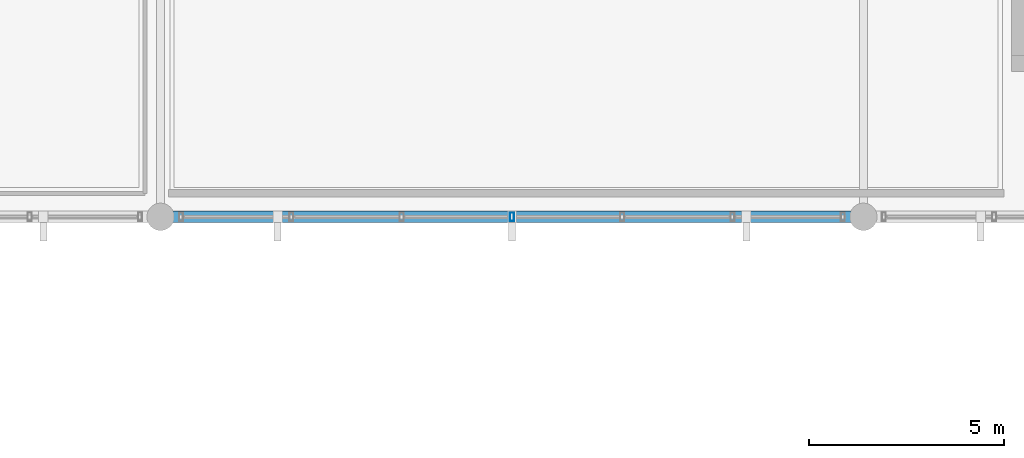
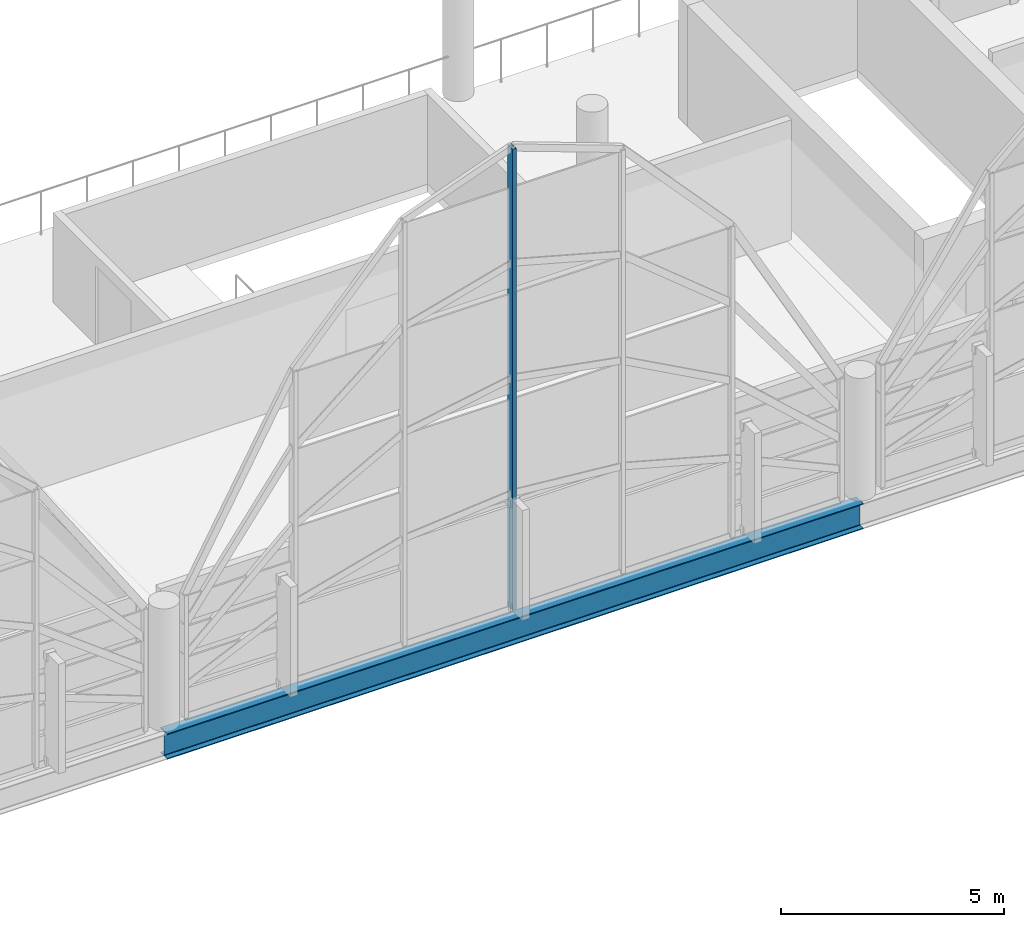
# One storey, part 25 of 116: 1 beam, 1 member, 1 element without a shape of its own.
"""IFC4 building model written with IfcOpenShell, lengths in metres."""

from ifc_helpers import new_model, si_unit, direction, frame, origin, origin_2d, place, context, subcontext, project, spatial, hollow_rectangle, i_section, extrude, material, material_profile, profile_set, type_object, element, aggregate, save


model = new_model("IFC4")

# Units and contexts
model_context = context("Model", 3, precision=1e-05, world=origin(), true_north=direction((0.0, 1.0)))
body_context = subcontext(model_context, "Body", "Model", "MODEL_VIEW")
ifc_project = project(units=[si_unit("LENGTHUNIT", "METRE"), si_unit("AREAUNIT", "SQUARE_METRE"), si_unit("VOLUMEUNIT", "CUBIC_METRE"), si_unit("PLANEANGLEUNIT", "RADIAN"), si_unit("MASSUNIT", "GRAM", prefix="KILO")], contexts=[model_context])

# Site, building, storey
site_placement = place(None, origin())
site = spatial("IfcSite", under=ifc_project, at=site_placement, CompositionType="ELEMENT")
building_placement = place(site_placement, origin())
building = spatial("IfcBuilding", under=site, at=building_placement, Name="Chuanluo Vaults Station", CompositionType="ELEMENT")
storey_placement = place(building_placement, frame((0.0, 0.0, 10.800048828125)))
storey = spatial("IfcBuildingStorey", under=building, at=storey_placement, Name="L02", CompositionType="ELEMENT", Elevation=10.800048828125)

# Beam
ifc_material_1 = material(Name="Steel Q355C", Category="steel")
ifc_material_profile_1 = material_profile(ifc_material_1, i_section(OverallWidth=0.300048828125, OverallDepth=0.699951171875, WebThickness=0.012939453125, FlangeThickness=0.02392578125, FilletRadius=0.02197265625, at=origin_2d()))
ifc_profile_set_1 = profile_set([ifc_material_profile_1], Name="Steel Q355C")
beam_type = type_object("IfcBeamType", Name="BM-GRD-700", PredefinedType="USERDEFINED", material=ifc_profile_set_1)
beam_placement = place(storey_placement, frame((54.0, 18.0, -0.570068359375), z_axis=(1.0, 0.0, 0.0), x_axis=(0.0, 1.0, 0.0)))
element("IfcBeam", 1, at=beam_placement, inside=storey, type_object=beam_type, Name="Floor girder BM:GX:L02:0547", ObjectType="GIRDER", PredefinedType="USERDEFINED", context=body_context, shape_type="SweptSolid", body=[
    extrude(i_section(OverallWidth=0.300048828125, OverallDepth=0.699951171875, WebThickness=0.012939453125, FlangeThickness=0.02392578125, FilletRadius=0.02197265625, at=origin_2d()), origin(), (0.0, 0.0, 1.0), 18.0),
])

# Curtain wall, member
ifc_material_2 = material(Name="Anodised aluminium 6063-T6", Category="aluminium")
curtain_wall_type = type_object("IfcCurtainWallType", Name="CW-SYS-12", PredefinedType="NOTDEFINED", material=ifc_material_2)
curtain_wall_placement = place(storey_placement, origin())
curtain_wall = element("IfcCurtainWall", 2, at=curtain_wall_placement, inside=storey, type_object=curtain_wall_type, Name="Vault V4 south arched curtain wall", PredefinedType="NOTDEFINED")
ifc_material_3 = material(Name="Anodised aluminium 6063-T6", Category="aluminium")
ifc_material_profile_2 = material_profile(ifc_material_3, hollow_rectangle(XDim=0.10498046875, YDim=0.219970703125, WallThickness=0.006103515625, at=origin_2d()))
ifc_profile_set_2 = profile_set([ifc_material_profile_2], Name="Anodised aluminium 6063-T6")
member_type = type_object("IfcMemberType", Name="CWM-140", PredefinedType="MULLION", material=ifc_profile_set_2)
member_placement = place(storey_placement, frame((63.0, 18.0, 0.0), z_axis=(0.0, 0.0, 1.0), x_axis=(-1.0, 0.0, 0.0)))
member = element("IfcMember", 3, at=member_placement, type_object=member_type, Name="Vault V4 south arched curtain wall mullion 4", PredefinedType="MULLION", context=body_context, shape_type="SweptSolid", body=[
    extrude(hollow_rectangle(XDim=0.10498046875, YDim=0.219970703125, WallThickness=0.006103515625, at=origin_2d()), origin(), (0.0, 0.0, 1.0), 12.599853515625),
])
aggregate(curtain_wall, [member])

save(model, "model.ifc")
